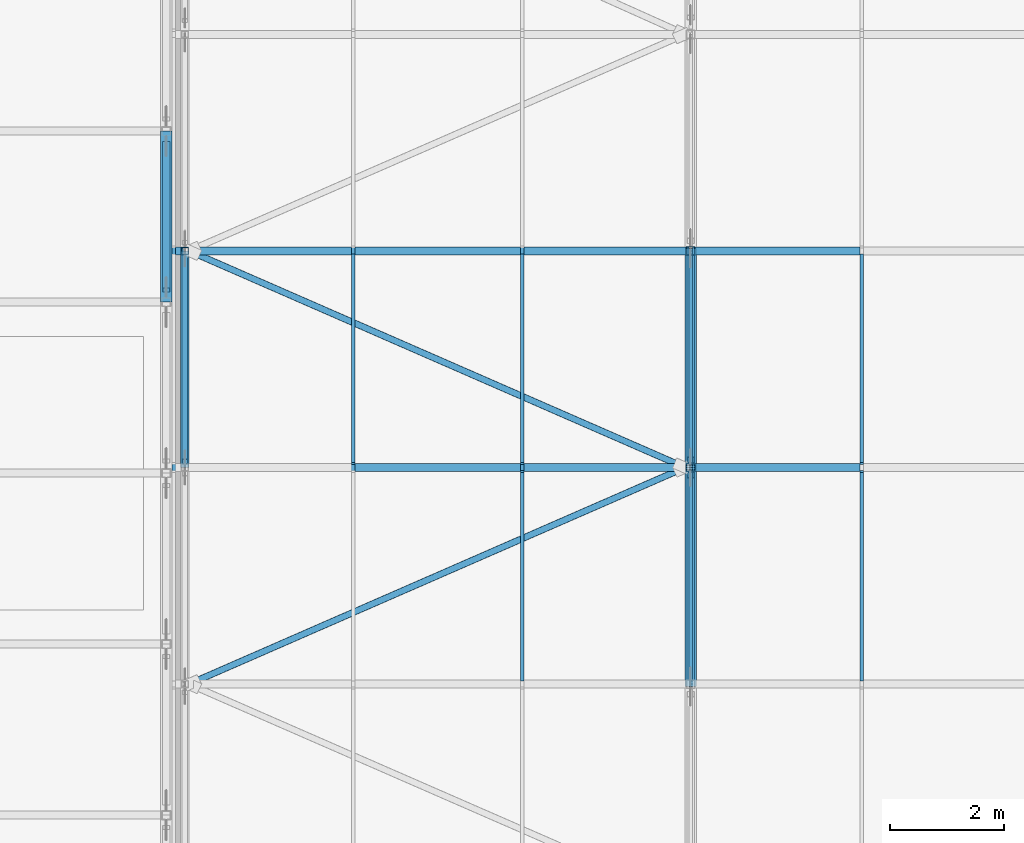
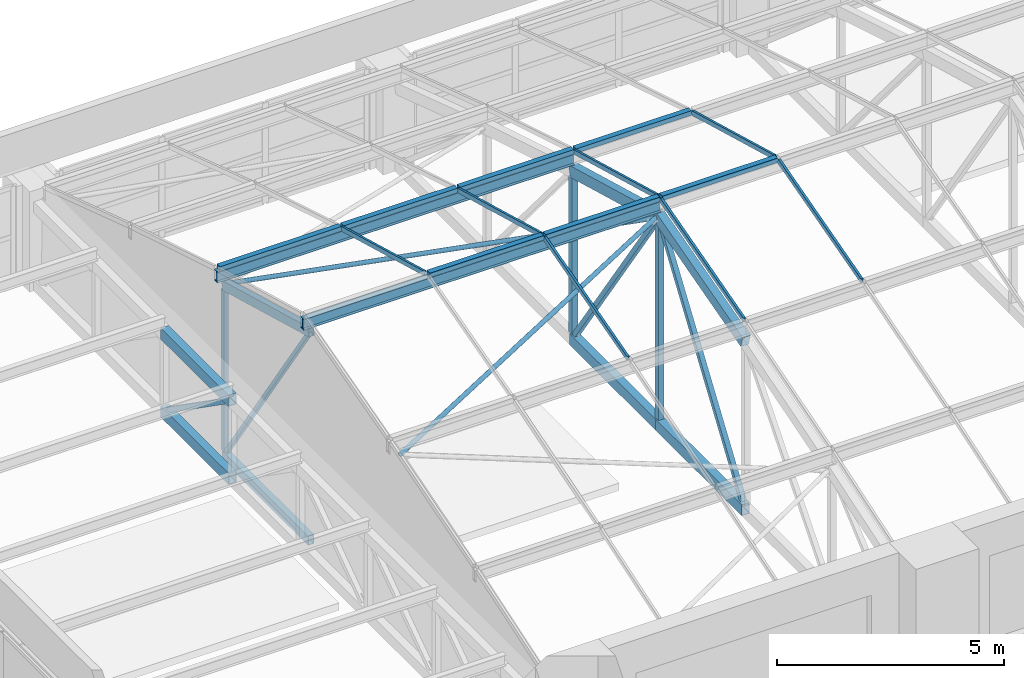
# One storey, part 7 of 82: 33 members, 1 element without a shape of its own.
"""IFC4 building model written with IfcOpenShell, lengths in metres."""

from ifc_helpers import new_model, si_unit, direction, frame, origin, origin_2d, place, context, subcontext, project, spatial, rectangle, hollow_rectangle, hollow_circle, i_section, extrude, material, material_profile, profile_set, type_object, element, aggregate, save


model = new_model("IFC4")

# Units and contexts
model_context = context("Model", 3, precision=1e-05, world=origin(), true_north=direction((0.0, 1.0)))
body_context = subcontext(model_context, "Body", "Model", "MODEL_VIEW")
ifc_project = project(units=[si_unit("LENGTHUNIT", "METRE"), si_unit("AREAUNIT", "SQUARE_METRE"), si_unit("VOLUMEUNIT", "CUBIC_METRE"), si_unit("PLANEANGLEUNIT", "RADIAN"), si_unit("MASSUNIT", "GRAM", prefix="KILO")], contexts=[model_context])

# Site, building, storey
site_placement = place(None, origin())
site = spatial("IfcSite", under=ifc_project, at=site_placement, CompositionType="ELEMENT")
building_placement = place(site_placement, origin())
building = spatial("IfcBuilding", under=site, at=building_placement, Name="Aravalli Gate Trade Fair Centre", CompositionType="ELEMENT")
storey_placement = place(building_placement, frame((0.0, 0.0, 19.199951171875)))
storey = spatial("IfcBuildingStorey", under=building, at=storey_placement, Name="L04", CompositionType="ELEMENT", Elevation=19.199951171875)

# Members
ifc_material_1 = material(Name="Steel E350", Category="steel")
ifc_material_profile_1 = material_profile(ifc_material_1, hollow_circle(Radius=0.05712890625, WallThickness=0.00439453125, at=origin_2d()), Name="CHS 114.3x4.5")
ifc_profile_set_1 = profile_set([ifc_material_profile_1], Name="Steel E350")
member_type_1 = type_object("IfcMemberType", Name="CHS 114.3x4.5 roof plan brace", PredefinedType="BRACE", material=ifc_profile_set_1)
member_1_placement = place(storey_placement, frame((15.199951171875, 117.300048828125, 4.700439453125), z_axis=(0.911112309426, 0.397964447768, 0.107231795306), x_axis=(-0.400272399235, 0.916396206022, 0.0)))
element("IfcMember", 1, at=member_1_placement, inside=storey, type_object=member_type_1, Name="Vault plan brace 2.3", PredefinedType="BRACE", context=body_context, shape_type="SweptSolid", body=[
    extrude(hollow_circle(Radius=0.05712890625, WallThickness=0.00439453125, at=origin_2d()), origin(), (0.0, 0.0, 1.0), 9.548828125),
])
member_2_placement = place(storey_placement, frame((15.199951171875, 124.89990234375, 4.700439453125), z_axis=(0.911121579945, -0.397942928869, 0.107232886384), x_axis=(0.400250802913, 0.916405638769, 0.0)))
element("IfcMember", 2, at=member_2_placement, inside=storey, type_object=member_type_1, Name="Vault plan brace 2.4", PredefinedType="BRACE", context=body_context, shape_type="SweptSolid", body=[
    extrude(hollow_circle(Radius=0.05712890625, WallThickness=0.00439453125, at=origin_2d()), origin(), (0.0, 0.0, 1.0), 9.548583984375),
])
ifc_material_profile_2 = material_profile(ifc_material_1, i_section(OverallWidth=0.139892578125, OverallDepth=0.300048828125, WebThickness=0.0078125, FlangeThickness=0.01318359375, at=origin_2d()), Name="ISMB 300")
ifc_profile_set_2 = profile_set([ifc_material_profile_2], Name="Steel E350")
member_type_2 = type_object("IfcMemberType", Name="ISMB 300 roof purlin", PredefinedType="PURLIN", material=ifc_profile_set_2)
for number, where, z_axis, x_axis, name in (
    (3, (14.89990234375, 121.10009765625, 6.030029296875), (1.0, 0.0, 0.0), (0.0, 1.0, 0.0), "Vault purlin 02-03 F3"),
    (4, (14.89990234375, 124.89990234375, 4.999267578125), (1.0, 0.0, 0.0), (0.0, 1.0, 0.0), "Vault purlin 02-03 F4"),
):
    element("IfcMember", number, at=place(storey_placement, frame(where, z_axis=z_axis, x_axis=x_axis)), inside=storey, type_object=member_type_2, Name=name, PredefinedType="PURLIN", context=body_context, shape_type="SweptSolid", body=[
        extrude(i_section(OverallWidth=0.139892578125, OverallDepth=0.300048828125, WebThickness=0.0078125, FlangeThickness=0.01318359375, at=origin_2d()), origin(), (0.0, 0.0, 1.0), 9.10009765625),
    ])
ifc_material_profile_3 = material_profile(ifc_material_1, hollow_rectangle(XDim=0.14990234375, YDim=0.25, WallThickness=0.010009765625, at=origin_2d()), Name="RHS 250x150x10")
ifc_profile_set_3 = profile_set([ifc_material_profile_3], Name="Steel E350")
member_type_3 = type_object("IfcMemberType", Name="RHS 250x150x10 CT2 truss chord", PredefinedType="CHORD", material=ifc_profile_set_3)
member_3_placement = place(storey_placement, frame((15.125, 121.10009765625, 5.750244140625), z_axis=(0.0, 0.96388962469, -0.266302067988), x_axis=(-1.0, 0.0, 0.0)))
element("IfcMember", 5, at=member_3_placement, inside=storey, type_object=member_type_3, Name="Concourse vault truss CT2 line 02 top chord T4", PredefinedType="CHORD", context=body_context, shape_type="SweptSolid", body=[
    extrude(hollow_rectangle(XDim=0.14990234375, YDim=0.25, WallThickness=0.010009765625, at=origin_2d()), origin(), (0.0, 0.0, 1.0), 3.942138671875),
])
member_4_placement = place(storey_placement, frame((15.125, 121.10009765625, 0.125), z_axis=(0.0, 1.0, 0.0), x_axis=(-1.0, 0.0, 0.0)))
element("IfcMember", 6, at=member_4_placement, inside=storey, type_object=member_type_3, Name="Concourse vault truss CT2 line 02 bottom chord B4", PredefinedType="CHORD", context=body_context, shape_type="SweptSolid", body=[
    extrude(hollow_rectangle(XDim=0.14990234375, YDim=0.25, WallThickness=0.010009765625, at=origin_2d()), origin(), (0.0, 0.0, 1.0), 3.7998046875),
])
ifc_material_profile_4 = material_profile(ifc_material_1, hollow_rectangle(XDim=0.199951171875, YDim=0.300048828125, WallThickness=0.011962890625, at=origin_2d()), Name="RHS 300x200x12")
ifc_profile_set_4 = profile_set([ifc_material_profile_4], Name="Steel E350")
member_type_4 = type_object("IfcMemberType", Name="RHS 300x200x12 CT1 truss chord", PredefinedType="CHORD", material=ifc_profile_set_4)
member_5_placement = place(storey_placement, frame((24.0, 117.300048828125, 4.674560546875), z_axis=(0.0, 0.963894016224, 0.266286172166), x_axis=(-1.0, 0.0, 0.0)))
element("IfcMember", 7, at=member_5_placement, inside=storey, type_object=member_type_4, Name="Concourse vault truss CT1 line 03 top chord T3", PredefinedType="CHORD", context=body_context, shape_type="SweptSolid", body=[
    extrude(hollow_rectangle(XDim=0.199951171875, YDim=0.300048828125, WallThickness=0.011962890625, at=origin_2d()), origin(), (0.0, 0.0, 1.0), 3.9423828125),
])
member_6_placement = place(storey_placement, frame((24.0, 117.300048828125, 0.150146484375), z_axis=(0.0, 1.0, 0.0), x_axis=(-1.0, 0.0, 0.0)))
element("IfcMember", 8, at=member_6_placement, inside=storey, type_object=member_type_4, Name="Concourse vault truss CT1 line 03 bottom chord B3", PredefinedType="CHORD", context=body_context, shape_type="SweptSolid", body=[
    extrude(hollow_rectangle(XDim=0.199951171875, YDim=0.300048828125, WallThickness=0.011962890625, at=origin_2d()), origin(), (0.0, 0.0, 1.0), 3.800048828125),
])
member_7_placement = place(storey_placement, frame((24.0, 121.10009765625, 5.724365234375), z_axis=(0.0, 0.96388962469, -0.266302067988), x_axis=(-1.0, 0.0, 0.0)))
element("IfcMember", 9, at=member_7_placement, inside=storey, type_object=member_type_4, Name="Concourse vault truss CT1 line 03 top chord T4", PredefinedType="CHORD", context=body_context, shape_type="SweptSolid", body=[
    extrude(hollow_rectangle(XDim=0.199951171875, YDim=0.300048828125, WallThickness=0.011962890625, at=origin_2d()), origin(), (0.0, 0.0, 1.0), 3.942138671875),
])
member_8_placement = place(storey_placement, frame((24.0, 121.10009765625, 0.150146484375), z_axis=(0.0, 1.0, 0.0), x_axis=(-1.0, 0.0, 0.0)))
element("IfcMember", 10, at=member_8_placement, inside=storey, type_object=member_type_4, Name="Concourse vault truss CT1 line 03 bottom chord B4", PredefinedType="CHORD", context=body_context, shape_type="SweptSolid", body=[
    extrude(hollow_rectangle(XDim=0.199951171875, YDim=0.300048828125, WallThickness=0.011962890625, at=origin_2d()), origin(), (0.0, 0.0, 1.0), 3.7998046875),
])
ifc_material_profile_5 = material_profile(ifc_material_1, hollow_rectangle(XDim=0.199951171875, YDim=0.300048828125, WallThickness=0.011962890625, at=origin_2d()), Name="RHS 300x200x12")
ifc_profile_set_5 = profile_set([ifc_material_profile_5], Name="Steel E350")
member_type_5 = type_object("IfcMemberType", Name="RHS 300x200x12 CT4 truss chord", PredefinedType="CHORD", material=ifc_profile_set_5)
for number, where, z_axis, x_axis, name in (
    (11, (14.800048828125, 124.0, 2.25), (0.0, 1.0, 0.0), (-1.0, 0.0, 0.0), "Concourse truss CT4 line 02F chord T6"),
    (12, (14.800048828125, 124.0, 0.150146484375), (0.0, 1.0, 0.0), (-1.0, 0.0, 0.0), "Concourse truss CT4 line 02F chord B6"),
):
    element("IfcMember", number, at=place(storey_placement, frame(where, z_axis=z_axis, x_axis=x_axis)), inside=storey, type_object=member_type_5, Name=name, PredefinedType="CHORD", context=body_context, shape_type="SweptSolid", body=[
        extrude(hollow_rectangle(XDim=0.199951171875, YDim=0.300048828125, WallThickness=0.011962890625, at=origin_2d()), origin(), (0.0, 0.0, 1.0), 3.0),
    ])
ifc_material_profile_6 = material_profile(ifc_material_1, hollow_rectangle(XDim=0.10009765625, YDim=0.10009765625, WallThickness=0.006103515625, at=origin_2d()), Name="SHS 100x100x6")
ifc_profile_set_6 = profile_set([ifc_material_profile_6], Name="Steel E350")
member_type_6 = type_object("IfcMemberType", Name="SHS 100x100x6 CT2 truss diagonal", PredefinedType="BRACE", material=ifc_profile_set_6)
member_9_placement = place(storey_placement, frame((15.125, 121.207763671875, 5.591064453125), z_axis=(0.0, 0.55975971126, -0.828654973828), x_axis=(-1.0, 0.0, 0.0)))
element("IfcMember", 13, at=member_9_placement, inside=storey, type_object=member_type_6, Name="Concourse vault truss CT2 line 02 diagonal D4", PredefinedType="BRACE", context=body_context, shape_type="SweptSolid", body=[
    extrude(hollow_rectangle(XDim=0.10009765625, YDim=0.10009765625, WallThickness=0.006103515625, at=origin_2d()), origin(), (0.0, 0.0, 1.0), 6.445556640625),
])
ifc_material_profile_7 = material_profile(ifc_material_1, hollow_rectangle(XDim=0.125, YDim=0.125, WallThickness=0.006103515625, at=origin_2d()), Name="SHS 125x125x6")
ifc_profile_set_7 = profile_set([ifc_material_profile_7], Name="Steel E350")
member_type_7 = type_object("IfcMemberType", Name="SHS 125x125x6 CT1 truss diagonal", PredefinedType="BRACE", material=ifc_profile_set_7)
for number, where, z_axis, x_axis, name in (
    (14, (24.0, 117.40234375, 0.300048828125), (0.0, 0.5632471019, 0.826288510268), (-1.0, 0.0, 0.0), "Concourse vault truss CT1 line 03 diagonal D3"),
    (15, (24.0, 121.230712890625, 5.53271484375), (0.0, 0.5632471019, -0.826288510268), (-1.0, 0.0, 0.0), "Concourse vault truss CT1 line 03 diagonal D4"),
):
    element("IfcMember", number, at=place(storey_placement, frame(where, z_axis=z_axis, x_axis=x_axis)), inside=storey, type_object=member_type_7, Name=name, PredefinedType="BRACE", context=body_context, shape_type="SweptSolid", body=[
        extrude(hollow_rectangle(XDim=0.125, YDim=0.125, WallThickness=0.006103515625, at=origin_2d()), origin(), (0.0, 0.0, 1.0), 6.332763671875),
    ])
ifc_material_profile_8 = material_profile(ifc_material_1, hollow_rectangle(XDim=0.125, YDim=0.125, WallThickness=0.006103515625, at=origin_2d()), Name="SHS 125x125x6")
ifc_profile_set_8 = profile_set([ifc_material_profile_8], Name="Steel E350")
member_type_8 = type_object("IfcMemberType", Name="SHS 125x125x6 CT2 truss post", PredefinedType="POST", material=ifc_profile_set_8)
member_10_placement = place(storey_placement, frame((15.125, 124.89990234375, 0.25), z_axis=(0.0, 0.0, 1.0), x_axis=(1.0, 0.0, 0.0)))
element("IfcMember", 16, at=member_10_placement, inside=storey, type_object=member_type_8, Name="Concourse vault truss CT2 line 02 post V4", PredefinedType="POST", context=body_context, shape_type="SweptSolid", body=[
    extrude(hollow_rectangle(XDim=0.125, YDim=0.125, WallThickness=0.006103515625, at=origin_2d()), origin(), (0.0, 0.0, 1.0), 4.31884765625),
])
ifc_material_profile_9 = material_profile(ifc_material_1, hollow_rectangle(XDim=0.125, YDim=0.125, WallThickness=0.006103515625, at=origin_2d()), Name="SHS 125x125x6")
ifc_profile_set_9 = profile_set([ifc_material_profile_9], Name="Steel E350")
member_type_9 = type_object("IfcMemberType", Name="SHS 125x125x6 CT4 truss diagonal", PredefinedType="BRACE", material=ifc_profile_set_9)
member_11_placement = place(storey_placement, frame((14.800048828125, 124.21435546875, 2.10009765625), z_axis=(0.0, 0.819209994526, -0.573493665936), x_axis=(-1.0, 0.0, 0.0)))
element("IfcMember", 17, at=member_11_placement, inside=storey, type_object=member_type_9, Name="Concourse truss CT4 line 02F diagonal D6", PredefinedType="BRACE", context=body_context, shape_type="SweptSolid", body=[
    extrude(hollow_rectangle(XDim=0.125, YDim=0.125, WallThickness=0.006103515625, at=origin_2d()), origin(), (0.0, 0.0, 1.0), 3.138671875),
])
ifc_material_profile_10 = material_profile(ifc_material_1, hollow_rectangle(XDim=0.14990234375, YDim=0.14990234375, WallThickness=0.006103515625, at=origin_2d()), Name="SHS 150x150x6")
ifc_profile_set_10 = profile_set([ifc_material_profile_10], Name="Steel E350")
member_type_10 = type_object("IfcMemberType", Name="SHS 150x150x6 CT1 truss post", PredefinedType="POST", material=ifc_profile_set_10)
member_12_placement = place(storey_placement, frame((24.0, 121.10009765625, 0.300048828125), z_axis=(0.0, 0.0, 1.0), x_axis=(1.0, 0.0, 0.0)))
element("IfcMember", 18, at=member_12_placement, inside=storey, type_object=member_type_10, Name="Concourse vault truss CT1 line 03 post V3", PredefinedType="POST", context=body_context, shape_type="SweptSolid", body=[
    extrude(hollow_rectangle(XDim=0.14990234375, YDim=0.14990234375, WallThickness=0.006103515625, at=origin_2d()), origin(), (0.0, 0.0, 1.0), 5.268798828125),
])
member_13_placement = place(storey_placement, frame((24.0, 124.89990234375, 0.300048828125), z_axis=(0.0, 0.0, 1.0), x_axis=(1.0, 0.0, 0.0)))
element("IfcMember", 19, at=member_13_placement, inside=storey, type_object=member_type_10, Name="Concourse vault truss CT1 line 03 post V4", PredefinedType="POST", context=body_context, shape_type="SweptSolid", body=[
    extrude(hollow_rectangle(XDim=0.14990234375, YDim=0.14990234375, WallThickness=0.006103515625, at=origin_2d()), origin(), (0.0, 0.0, 1.0), 4.216552734375),
])
ifc_material_2 = material(Name="Aluminium", Category="aluminium")
ifc_material_profile_11 = material_profile(ifc_material_2, rectangle(XDim=0.139892578125, YDim=0.1201171875, at=origin_2d()), Name="Vault fold cap 140 x 120")
ifc_profile_set_11 = profile_set([ifc_material_profile_11], Name="Aluminium")
member_type_11 = type_object("IfcMemberType", Name="Vault fold cap 140 x 120", PredefinedType="USERDEFINED", material=ifc_profile_set_11)
member_14_placement = place(storey_placement, frame((14.9599609375, 124.89990234375, 5.209228515625), z_axis=(1.0, 0.0, 0.0), x_axis=(0.0, 1.0, 0.0)))
element("IfcMember", 20, at=member_14_placement, inside=storey, type_object=member_type_11, Name="Vault fold cap w1.4", ObjectType="FOLD CAP", PredefinedType="USERDEFINED", context=body_context, shape_type="SweptSolid", body=[
    extrude(rectangle(XDim=0.139892578125, YDim=0.1201171875, at=origin_2d()), origin(), (0.0, 0.0, 1.0), 3.09326171875),
])
for number, where, z_axis, x_axis, name in (
    (21, (18.11328125, 121.10009765625, 6.239990234375), (1.0, 0.0, 0.0), (0.0, 1.0, 0.0), "Vault fold cap w2.3"),
    (22, (18.11328125, 124.89990234375, 5.209228515625), (1.0, 0.0, 0.0), (0.0, 1.0, 0.0), "Vault fold cap w2.4"),
):
    element("IfcMember", number, at=place(storey_placement, frame(where, z_axis=z_axis, x_axis=x_axis)), inside=storey, type_object=member_type_11, Name=name, ObjectType="FOLD CAP", PredefinedType="USERDEFINED", context=body_context, shape_type="SweptSolid", body=[
        extrude(rectangle(XDim=0.139892578125, YDim=0.1201171875, at=origin_2d()), origin(), (0.0, 0.0, 1.0), 2.8984375),
    ])
for number, where, z_axis, x_axis, name in (
    (23, (21.07177734375, 121.10009765625, 6.239990234375), (1.0, 0.0, 0.0), (0.0, 1.0, 0.0), "Vault fold cap w3.3"),
    (24, (21.07177734375, 124.89990234375, 5.209228515625), (1.0, 0.0, 0.0), (0.0, 1.0, 0.0), "Vault fold cap w3.4"),
):
    element("IfcMember", number, at=place(storey_placement, frame(where, z_axis=z_axis, x_axis=x_axis)), inside=storey, type_object=member_type_11, Name=name, ObjectType="FOLD CAP", PredefinedType="USERDEFINED", context=body_context, shape_type="SweptSolid", body=[
        extrude(rectangle(XDim=0.139892578125, YDim=0.1201171875, at=origin_2d()), origin(), (0.0, 0.0, 1.0), 2.898193359375),
    ])
for number, where, z_axis, x_axis, name in (
    (25, (24.030029296875, 121.10009765625, 6.239990234375), (1.0, 0.0, 0.0), (0.0, 1.0, 0.0), "Vault fold cap w4.3"),
    (26, (24.030029296875, 124.89990234375, 5.209228515625), (1.0, 0.0, 0.0), (0.0, 1.0, 0.0), "Vault fold cap w4.4"),
):
    element("IfcMember", number, at=place(storey_placement, frame(where, z_axis=z_axis, x_axis=x_axis)), inside=storey, type_object=member_type_11, Name=name, ObjectType="FOLD CAP", PredefinedType="USERDEFINED", context=body_context, shape_type="SweptSolid", body=[
        extrude(rectangle(XDim=0.139892578125, YDim=0.1201171875, at=origin_2d()), origin(), (0.0, 0.0, 1.0), 2.93994140625),
    ])

# Curtain wall, members
ifc_material_3 = material(Name="Aluminium and glass", Category="aluminium")
curtain_wall_type = type_object("IfcCurtainWallType", Name="Vault curtain wall, sloped glazing", PredefinedType="NOTDEFINED", material=ifc_material_3)
curtain_wall_placement = place(storey_placement, origin())
curtain_wall = element("IfcCurtainWall", 27, at=curtain_wall_placement, inside=storey, type_object=curtain_wall_type, Name="Vault curtain wall w", PredefinedType="NOTDEFINED")
ifc_material_profile_12 = material_profile(ifc_material_2, rectangle(XDim=0.06005859375, YDim=0.1201171875, at=origin_2d()), Name="Vault glazing bar 60 x 120")
ifc_profile_set_12 = profile_set([ifc_material_profile_12], Name="Aluminium")
member_type_12 = type_object("IfcMemberType", Name="Vault glazing bar 60 x 120", PredefinedType="USERDEFINED", material=ifc_profile_set_12)
member_15_placement = place(storey_placement, frame((18.083251953125, 121.169921875, 6.218505859375), z_axis=(0.0, 0.963872602318, -0.266363673386), x_axis=(-1.0, 0.0, 0.0)))
member_15 = element("IfcMember", 28, at=member_15_placement, type_object=member_type_12, Name="Vault glazing bar w2.4", ObjectType="GLAZING BAR", PredefinedType="USERDEFINED", context=body_context, shape_type="SweptSolid", body=[
    extrude(rectangle(XDim=0.06005859375, YDim=0.1201171875, at=origin_2d()), origin(), (0.0, 0.0, 1.0), 3.79736328125),
])
member_16_placement = place(storey_placement, frame((21.041748046875, 117.3701171875, 5.20703125), z_axis=(0.0, 0.96386804037, 0.266380180859), x_axis=(-1.0, 0.0, 0.0)))
member_16 = element("IfcMember", 29, at=member_16_placement, type_object=member_type_12, Name="Vault glazing bar w3.3", ObjectType="GLAZING BAR", PredefinedType="USERDEFINED", context=body_context, shape_type="SweptSolid", body=[
    extrude(rectangle(XDim=0.06005859375, YDim=0.1201171875, at=origin_2d()), origin(), (0.0, 0.0, 1.0), 3.797119140625),
])
member_17_placement = place(storey_placement, frame((21.041748046875, 121.169921875, 6.218505859375), z_axis=(0.0, 0.963872602318, -0.266363673386), x_axis=(-1.0, 0.0, 0.0)))
member_17 = element("IfcMember", 30, at=member_17_placement, type_object=member_type_12, Name="Vault glazing bar w3.4", ObjectType="GLAZING BAR", PredefinedType="USERDEFINED", context=body_context, shape_type="SweptSolid", body=[
    extrude(rectangle(XDim=0.06005859375, YDim=0.1201171875, at=origin_2d()), origin(), (0.0, 0.0, 1.0), 3.79736328125),
])
member_18_placement = place(storey_placement, frame((24.0, 117.3701171875, 5.20703125), z_axis=(0.0, 0.96386804037, 0.266380180859), x_axis=(-1.0, 0.0, 0.0)))
member_18 = element("IfcMember", 31, at=member_18_placement, type_object=member_type_12, Name="Vault glazing bar w4.3", ObjectType="GLAZING BAR", PredefinedType="USERDEFINED", context=body_context, shape_type="SweptSolid", body=[
    extrude(rectangle(XDim=0.06005859375, YDim=0.1201171875, at=origin_2d()), origin(), (0.0, 0.0, 1.0), 3.797119140625),
])
member_19_placement = place(storey_placement, frame((24.0, 121.169921875, 6.218505859375), z_axis=(0.0, 0.963872602318, -0.266363673386), x_axis=(-1.0, 0.0, 0.0)))
member_19 = element("IfcMember", 32, at=member_19_placement, type_object=member_type_12, Name="Vault glazing bar w4.4", ObjectType="GLAZING BAR", PredefinedType="USERDEFINED", context=body_context, shape_type="SweptSolid", body=[
    extrude(rectangle(XDim=0.06005859375, YDim=0.1201171875, at=origin_2d()), origin(), (0.0, 0.0, 1.0), 3.79736328125),
])
member_20_placement = place(storey_placement, frame((27.0, 117.3701171875, 5.20703125), z_axis=(0.0, 0.96386804037, 0.266380180859), x_axis=(-1.0, 0.0, 0.0)))
member_20 = element("IfcMember", 33, at=member_20_placement, type_object=member_type_12, Name="Vault glazing bar w5.3", ObjectType="GLAZING BAR", PredefinedType="USERDEFINED", context=body_context, shape_type="SweptSolid", body=[
    extrude(rectangle(XDim=0.06005859375, YDim=0.1201171875, at=origin_2d()), origin(), (0.0, 0.0, 1.0), 3.797119140625),
])
member_21_placement = place(storey_placement, frame((27.0, 121.169921875, 6.218505859375), z_axis=(0.0, 0.963872602318, -0.266363673386), x_axis=(-1.0, 0.0, 0.0)))
member_21 = element("IfcMember", 34, at=member_21_placement, type_object=member_type_12, Name="Vault glazing bar w5.4", ObjectType="GLAZING BAR", PredefinedType="USERDEFINED", context=body_context, shape_type="SweptSolid", body=[
    extrude(rectangle(XDim=0.06005859375, YDim=0.1201171875, at=origin_2d()), origin(), (0.0, 0.0, 1.0), 3.79736328125),
])
aggregate(curtain_wall, [member_15, member_16, member_17, member_18, member_19, member_20, member_21])

save(model, "model.ifc")
